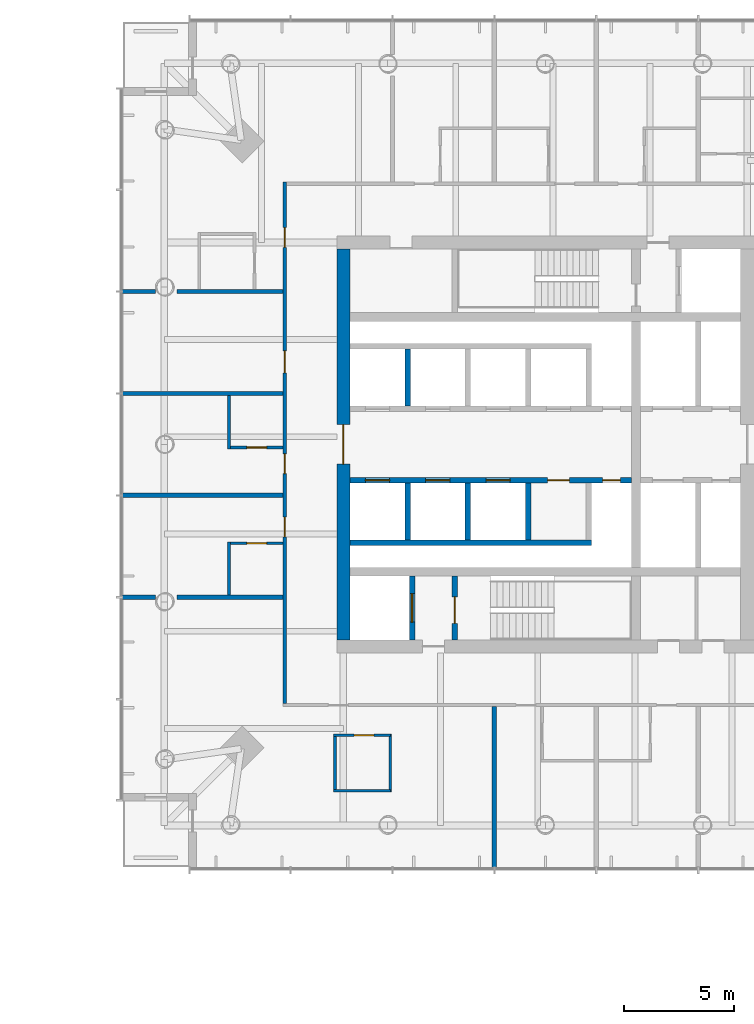
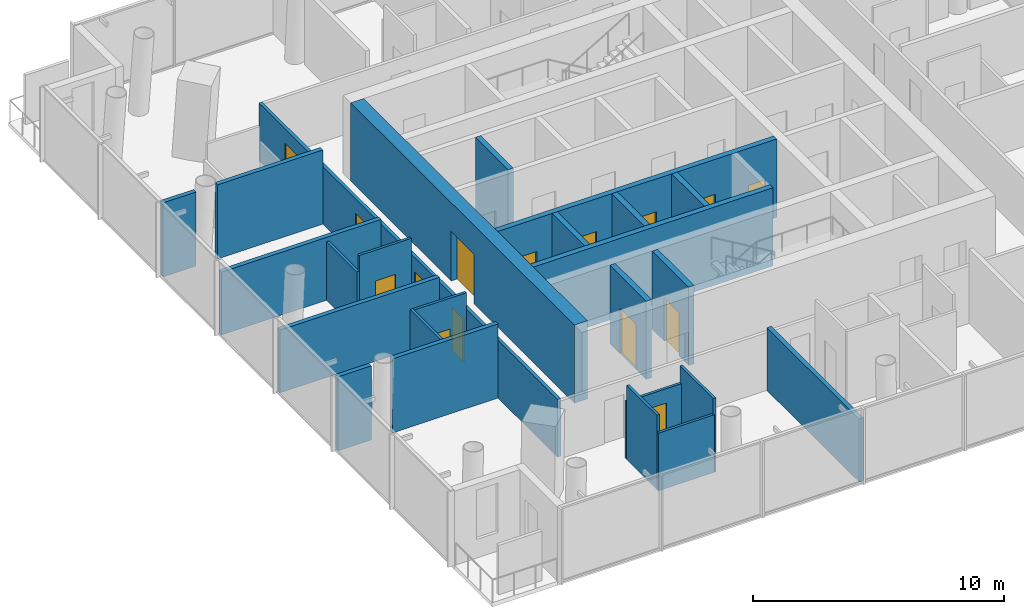
# One storey, part 14 of 21: 25 walls, 15 doors, 15 openings.
"""IFC4 building model written with IfcOpenShell, lengths in metres."""

import ifcopenshell
import ifcopenshell.guid

model = None  # the IFC model being written
_history = None  # IfcOwnerHistory: only IFC2X3 demands one
_inside = {}  # id of a spatial element -> (the spatial element, [elements in it])
_under = {}  # id of a project, library or spatial element -> (it, [spatial elements below it])
_declared = {}  # id of a project -> (the project, [libraries it declares])
_typed = {}  # id of a type object -> (the type object, [elements of that type])
_made_of = {}  # id of a material, layer set ... -> (it, [elements and type objects made of it])


def new_model(schema):
    """Start an empty IFC model of exactly this schema.

    Asked for "IFC4X3", IfcOpenShell would pick the latest addendum, in which some entities
    have other attributes; the version numbers below select the first issue.
    IFC2X3 requires an IfcOwnerHistory on every rooted entity: one is made here for all.
    """
    global model, _history
    if schema == "IFC4X3":
        model = ifcopenshell.file(schema_version=(4, 3, 0, 0))
    else:
        model = ifcopenshell.file(schema=schema)
    _inside.clear()
    _under.clear()
    _declared.clear()
    _typed.clear()
    _made_of.clear()
    _history = None
    if model.schema == "IFC2X3":
        org = make("IfcOrganization", Name="unknown")
        user = make(
            "IfcPersonAndOrganization",
            ThePerson=make("IfcPerson", FamilyName="unknown"),
            TheOrganization=org,
        )
        app = make(
            "IfcApplication",
            ApplicationDeveloper=org,
            Version="unknown",
            ApplicationFullName="unknown",
            ApplicationIdentifier="unknown",
        )
        _history = make(
            "IfcOwnerHistory",
            OwningUser=user,
            OwningApplication=app,
            ChangeAction="ADDED",
            CreationDate=0,
        )
    return model


def make(cls, **values):
    """One entity of the class cls with the attributes given. An attribute that is None is left unset."""
    return model.create_entity(
        cls, **{name: value for name, value in values.items() if value is not None}
    )


def rooted(cls, **values):
    """An entity with a GlobalId (a new one), such as an element, a storey or a relation."""
    return make(cls, GlobalId=ifcopenshell.guid.new(), OwnerHistory=_history, **values)


def si_unit(unit_type, name, prefix=None):
    """IfcSIUnit, for example si_unit("LENGTHUNIT", "METRE", prefix="MILLI")."""
    return make("IfcSIUnit", UnitType=unit_type, Prefix=prefix, Name=name)


def assignment(units):
    """IfcUnitAssignment: the units of a project."""
    return None if units is None else make("IfcUnitAssignment", Units=units)


def point(xyz):
    """IfcCartesianPoint."""
    return None if xyz is None else make("IfcCartesianPoint", Coordinates=xyz)


def direction(xyz):
    """IfcDirection."""
    return None if xyz is None else make("IfcDirection", DirectionRatios=xyz)


def frame(location, z_axis=None, x_axis=None):
    """IfcAxis2Placement3D, a coordinate frame: its origin and axes. An axis left out is left unset."""
    return make(
        "IfcAxis2Placement3D",
        Location=point(location),
        Axis=direction(z_axis),
        RefDirection=direction(x_axis),
    )


def frame_2d(location, x_axis=None):
    """IfcAxis2Placement2D, a coordinate frame in the plane: its origin and x axis."""
    return make(
        "IfcAxis2Placement2D", Location=point(location), RefDirection=direction(x_axis)
    )


def origin():
    """The frame at (0, 0, 0) with its axes left unset."""
    return frame((0.0, 0.0, 0.0))


def place(relative_to, where):
    """IfcLocalPlacement: puts the frame where relative to a parent placement (None: the world)."""
    return make(
        "IfcLocalPlacement", PlacementRelTo=relative_to, RelativePlacement=where
    )


def context(
    kind, dimensions, precision=None, world=None, true_north=None, identifier=None
):
    """IfcGeometricRepresentationContext, for example the 3D "Model" context."""
    return make(
        "IfcGeometricRepresentationContext",
        ContextIdentifier=identifier,
        ContextType=kind,
        CoordinateSpaceDimension=dimensions,
        Precision=precision,
        WorldCoordinateSystem=world,
        TrueNorth=true_north,
    )


def subcontext(parent, identifier, kind, view, scale=None):
    """IfcGeometricRepresentationSubContext, for example "Body" below "Model"."""
    return make(
        "IfcGeometricRepresentationSubContext",
        ContextIdentifier=identifier,
        ContextType=kind,
        ParentContext=parent,
        TargetScale=scale,
        TargetView=view,
    )


def project(units=None, contexts=None):
    """IfcProject with its units and contexts."""
    return rooted(
        "IfcProject",
        Name="project",
        RepresentationContexts=contexts,
        UnitsInContext=assignment(units),
    )


def spatial(cls, under=None, at=None, **own):
    """A site, building, storey or space (cls), placed at a placement, below another one or the project."""
    s = rooted(cls, ObjectPlacement=at, **own)
    if under is not None:
        _under.setdefault(under.id(), (under, []))[1].append(s)
    return s


def profile(cls, at=None, kind="AREA", **sizes):
    """A parametric profile (cls). Its sizes go by their IFC names, for example OverallWidth=200.0."""
    return make(cls, ProfileType=kind, Position=at, **sizes)


def rectangle(**sizes):
    """IfcRectangleProfileDef."""
    return profile("IfcRectangleProfileDef", **sizes)


def extrude(swept, where, along, depth):
    """IfcExtrudedAreaSolid: the profile swept, set in the frame where, extruded along a direction by depth."""
    return make(
        "IfcExtrudedAreaSolid",
        SweptArea=swept,
        Position=where,
        ExtrudedDirection=direction(along),
        Depth=depth,
    )


def shape(context_of_items, identifier, shape_type, items):
    """IfcShapeRepresentation: the items that make up one representation, for example the "Body"."""
    return make(
        "IfcShapeRepresentation",
        ContextOfItems=context_of_items,
        RepresentationIdentifier=identifier,
        RepresentationType=shape_type,
        Items=items,
    )


def material(Name=None, Category=None):
    """IfcMaterial."""
    return make("IfcMaterial", Name=Name, Category=Category)


def layer(
    of_material, thickness, ventilated=None, Name=None, Category=None, Priority=None
):
    """IfcMaterialLayer: one layer of a wall or slab, of a material (None: an air gap)."""
    return make(
        "IfcMaterialLayer",
        Material=of_material,
        LayerThickness=thickness,
        IsVentilated=ventilated,
        Name=Name,
        Category=Category,
        Priority=Priority,
    )


def layer_set(layers, Name=None):
    """IfcMaterialLayerSet."""
    return make("IfcMaterialLayerSet", MaterialLayers=layers, LayerSetName=Name)


def made_of(thing, what):
    """Note that an element or type object is made of a material, layer set ...; save() writes the relation."""
    if what is not None:
        _made_of.setdefault(what.id(), (what, []))[1].append(thing)
    return thing


def type_object(cls, material=None, **own):
    """A type object (cls), such as IfcWallType, which elements share."""
    return made_of(rooted(cls, **own), material)


def element(
    cls,
    number,
    at=None,
    inside=None,
    cuts=None,
    type_object=None,
    material=None,
    context=None,
    identifier="Body",
    shape_type=None,
    held_by="IfcProductDefinitionShape",
    body=None,
    shapes=None,
    **own,
):
    """One element of the class cls, such as IfcWall. Its Tag is "e" and its number.

    at: its placement. inside: the storey or other place that contains it. cuts: it is an
    opening in that element (IfcRelVoidsElement). A single representation is given by context,
    identifier, shape_type and body (its items); several are given by shapes. held_by: the class
    of the entity that holds the representations. save() writes the other relations.
    """
    e = rooted(cls, Tag="e%d" % number, ObjectPlacement=at, **own)
    if body is not None:
        shapes = [shape(context, identifier, shape_type, body)]
    if shapes is not None:
        e.Representation = make(held_by, Representations=shapes)
    if inside is not None:
        _inside.setdefault(inside.id(), (inside, []))[1].append(e)
    if cuts is not None:
        rooted(
            "IfcRelVoidsElement", RelatingBuildingElement=cuts, RelatedOpeningElement=e
        )
    if type_object is not None:
        _typed.setdefault(type_object.id(), (type_object, []))[1].append(e)
    return made_of(e, material)


def fill(opening, filler):
    """IfcRelFillsElement: the door or window that sits in an opening."""
    return rooted(
        "IfcRelFillsElement",
        RelatingOpeningElement=opening,
        RelatedBuildingElement=filler,
    )


def aggregate(whole, parts):
    """IfcRelAggregates: a whole, such as a stair, and the parts it consists of."""
    return rooted("IfcRelAggregates", RelatingObject=whole, RelatedObjects=parts)


def save(model, path):
    """Write the relations noted so far, then the file.

    IfcRelAggregates (storeys below a building ...), IfcRelContainedInSpatialStructure (elements
    in a storey), IfcRelDefinesByType, IfcRelAssociatesMaterial and IfcRelDeclares: one each for
    every whole, place, type object, material and project.
    """
    for whole, parts in _under.values():
        aggregate(whole, parts)
    for where, things in _inside.values():
        rooted(
            "IfcRelContainedInSpatialStructure",
            RelatedElements=things,
            RelatingStructure=where,
        )
    for kind, things in _typed.values():
        rooted("IfcRelDefinesByType", RelatedObjects=things, RelatingType=kind)
    for what, things in _made_of.values():
        rooted("IfcRelAssociatesMaterial", RelatedObjects=things, RelatingMaterial=what)
    for by, libraries in _declared.values():
        rooted("IfcRelDeclares", RelatingContext=by, RelatedDefinitions=libraries)
    model.write(path)


model = new_model("IFC4")

# Units and contexts
model_context = context("Model", 3, precision=1e-05, world=origin(), true_north=direction((0.0, 1.0)))
body_context = subcontext(model_context, "Body", "Model", "MODEL_VIEW")
ifc_project = project(units=[si_unit("LENGTHUNIT", "METRE"), si_unit("AREAUNIT", "SQUARE_METRE"), si_unit("VOLUMEUNIT", "CUBIC_METRE"), si_unit("PLANEANGLEUNIT", "RADIAN"), si_unit("MASSUNIT", "GRAM", prefix="KILO")], contexts=[model_context])

# Site, building, storey
site_placement = place(None, origin())
site = spatial("IfcSite", under=ifc_project, at=site_placement, CompositionType="ELEMENT")
building_placement = place(site_placement, origin())
building = spatial("IfcBuilding", under=site, at=building_placement, Name="Ostroluk Exchange", CompositionType="ELEMENT")
storey_placement = place(building_placement, frame((0.0, 0.0, 59.0)))
storey = spatial("IfcBuildingStorey", under=building, at=storey_placement, Name="L14", CompositionType="ELEMENT", Elevation=59.0)

# Wall, opening, door
ifc_material_1 = material(Name="Concrete C40/50", Category="concrete")
ifc_layer_1 = layer(ifc_material_1, 0.25)
ifc_layer_set_1 = layer_set([ifc_layer_1], Name="Core shaft wall 250")
wall_type_1 = type_object("IfcWallType", Name="Core shaft wall 250", PredefinedType="SHEAR", material=ifc_layer_set_1)
wall_1_placement = place(storey_placement, frame((110.925048828125, 37.10009765625, 0.0), z_axis=(0.0, 0.0, 1.0), x_axis=(0.0, 1.0, 0.0)))
wall_1 = element("IfcWall", 1, at=wall_1_placement, inside=storey, type_object=wall_type_1, Name="Firefighting lift shaft wall", PredefinedType="SHEAR", context=body_context, shape_type="SweptSolid", body=[
    extrude(rectangle(XDim=2.89990234375, YDim=0.25, at=frame_2d((1.449951171875, 0.0))), origin(), (0.0, 0.0, 1.0), 3.800048828125),
])
opening_1_placement = place(wall_1_placement, frame((0.800048828125, 0.0, 0.0)))
opening_1 = element("IfcOpeningElement", 2, at=opening_1_placement, cuts=wall_1, Name="Opening LD2", PredefinedType="OPENING", context=body_context, shape_type="SweptSolid", body=[
    extrude(rectangle(XDim=1.300048828125, YDim=2.199951171875, at=frame_2d((0.64990234375, 1.10009765625))), frame((0.0, 0.135009765625, 0.0), z_axis=(0.0, -1.0, 0.0), x_axis=(1.0, 0.0, 0.0)), (0.0, 0.0, 1.0), 0.27001953125),
])
ifc_material_2 = material(Name="Stainless steel", Category="steel")
door_type_1 = type_object("IfcDoorType", Name="Lift landing door E 60 1300 x 2200", OperationType="DOUBLE_DOOR_SLIDING", PredefinedType="DOOR", material=ifc_material_2)
door_1_placement = place(opening_1_placement, origin())
door_1 = element("IfcDoor", 3, at=door_1_placement, inside=storey, type_object=door_type_1, Name="Lift HF1 landing door", OperationType="DOUBLE_DOOR_SLIDING", OverallHeight=2.199951171875, OverallWidth=1.300048828125, PredefinedType="DOOR", context=body_context, shape_type="SweptSolid", body=[
    extrude(rectangle(XDim=1.300048828125, YDim=2.199951171875, at=frame_2d((0.64990234375, 1.10009765625))), frame((0.0, 0.02490234375, 0.0), z_axis=(0.0, -1.0, 0.0), x_axis=(1.0, 0.0, 0.0)), (0.0, 0.0, 1.0), 0.050048828125),
])
fill(opening_1, door_1)

wall_2_placement = place(storey_placement, frame((112.875, 37.10009765625, 0.0), z_axis=(0.0, 0.0, 1.0), x_axis=(0.0, 1.0, 0.0)))
wall_2 = element("IfcWall", 4, at=wall_2_placement, inside=storey, type_object=wall_type_1, Name="Stair shaft wall", PredefinedType="SHEAR", context=body_context, shape_type="SweptSolid", body=[
    extrude(rectangle(XDim=2.89990234375, YDim=0.25, at=frame_2d((1.449951171875, 0.0))), origin(), (0.0, 0.0, 1.0), 3.800048828125),
])
opening_2_placement = place(wall_2_placement, frame((0.75, 0.0, 0.0)))
opening_2 = element("IfcOpeningElement", 5, at=opening_2_placement, cuts=wall_2, Name="Opening FD60S", PredefinedType="OPENING", context=body_context, shape_type="SweptSolid", body=[
    extrude(rectangle(XDim=1.199951171875, YDim=2.10009765625, at=frame_2d((0.60009765625, 1.050048828125))), frame((0.0, 0.135009765625, 0.0), z_axis=(0.0, -1.0, 0.0), x_axis=(1.0, 0.0, 0.0)), (0.0, 0.0, 1.0), 0.27001953125),
])
ifc_material_3 = material(Name="Steel", Category="steel")
door_type_2 = type_object("IfcDoorType", Name="Stair door EI 60 1200 x 2100", OperationType="SINGLE_SWING_LEFT", PredefinedType="DOOR", material=ifc_material_3)
door_2_placement = place(opening_2_placement, origin())
door_2 = element("IfcDoor", 6, at=door_2_placement, inside=storey, type_object=door_type_2, Name="Stair T2-S1 door", OperationType="SINGLE_SWING_LEFT", OverallHeight=2.10009765625, OverallWidth=1.199951171875, PredefinedType="DOOR", context=body_context, shape_type="SweptSolid", body=[
    extrude(rectangle(XDim=1.199951171875, YDim=2.10009765625, at=frame_2d((0.60009765625, 1.050048828125))), frame((0.0, 0.02490234375, 0.0), z_axis=(0.0, -1.0, 0.0), x_axis=(1.0, 0.0, 0.0)), (0.0, 0.0, 1.0), 0.050048828125),
])
fill(opening_2, door_2)

# Walls
for number, where, z_axis, x_axis, name in (
    (7, (110.72509765625, 47.75, 0.0), (0.0, 0.0, 1.0), (0.0, 1.0, 0.0), "Lift shaft wall"),
    (8, (110.72509765625, 44.25, 0.0), (0.0, 0.0, 1.0), (0.0, -1.0, 0.0), "Lift shaft wall"),
    (9, (113.47509765625, 44.25, 0.0), (0.0, 0.0, 1.0), (0.0, -1.0, 0.0), "Lift shaft wall"),
    (10, (116.22509765625, 44.25, 0.0), (0.0, 0.0, 1.0), (0.0, -1.0, 0.0), "Lift shaft wall"),
):
    element("IfcWall", number, at=place(storey_placement, frame(where, z_axis=z_axis, x_axis=x_axis)), inside=storey, type_object=wall_type_1, Name=name, PredefinedType="SHEAR", context=body_context, shape_type="SweptSolid", body=[
        extrude(rectangle(XDim=2.60009765625, YDim=0.25, at=frame_2d((1.300048828125, 0.0))), origin(), (0.0, 0.0, 1.0), 3.800048828125),
    ])
wall_3_placement = place(storey_placement, frame((108.10009765625, 41.52490234375, 0.0), z_axis=(0.0, 0.0, 1.0), x_axis=(1.0, 0.0, 0.0)))
element("IfcWall", 11, at=wall_3_placement, inside=storey, type_object=wall_type_1, Name="Lift shaft wall", PredefinedType="SHEAR", context=body_context, shape_type="SweptSolid", body=[
    extrude(rectangle(XDim=11.0, YDim=0.25, at=frame_2d((5.5, 0.0))), origin(), (0.0, 0.0, 1.0), 3.800048828125),
])

# Wall, openings, doors
wall_4_placement = place(storey_placement, frame((108.10009765625, 44.375, 0.0), z_axis=(0.0, 0.0, 1.0), x_axis=(1.0, 0.0, 0.0)))
wall_4 = element("IfcWall", 12, at=wall_4_placement, inside=storey, type_object=wall_type_1, Name="Lift shaft front wall", PredefinedType="SHEAR", context=body_context, shape_type="SweptSolid", body=[
    extrude(rectangle(XDim=12.829833984375, YDim=0.25, at=frame_2d((6.4150390625, 0.0))), origin(), (0.0, 0.0, 1.0), 3.800048828125),
])
opening_3_placement = place(wall_4_placement, frame((0.699951171875, 0.0, 0.0)))
opening_3 = element("IfcOpeningElement", 13, at=opening_3_placement, cuts=wall_4, Name="Opening LD", PredefinedType="OPENING", context=body_context, shape_type="SweptSolid", body=[
    extrude(rectangle(XDim=1.10009765625, YDim=2.199951171875, at=frame_2d((0.550048828125, 1.10009765625))), frame((0.0, 0.135009765625, 0.0), z_axis=(0.0, -1.0, 0.0), x_axis=(1.0, 0.0, 0.0)), (0.0, 0.0, 1.0), 0.27001953125),
])
opening_4_placement = place(wall_4_placement, frame((3.449951171875, 0.0, 0.0)))
opening_4 = element("IfcOpeningElement", 14, at=opening_4_placement, cuts=wall_4, Name="Opening LD", PredefinedType="OPENING", context=body_context, shape_type="SweptSolid", body=[
    extrude(rectangle(XDim=1.10009765625, YDim=2.199951171875, at=frame_2d((0.550048828125, 1.10009765625))), frame((0.0, 0.135009765625, 0.0), z_axis=(0.0, -1.0, 0.0), x_axis=(1.0, 0.0, 0.0)), (0.0, 0.0, 1.0), 0.27001953125),
])
opening_5_placement = place(wall_4_placement, frame((6.199951171875, 0.0, 0.0)))
opening_5 = element("IfcOpeningElement", 15, at=opening_5_placement, cuts=wall_4, Name="Opening LD", PredefinedType="OPENING", context=body_context, shape_type="SweptSolid", body=[
    extrude(rectangle(XDim=1.10009765625, YDim=2.199951171875, at=frame_2d((0.550048828125, 1.10009765625))), frame((0.0, 0.135009765625, 0.0), z_axis=(0.0, -1.0, 0.0), x_axis=(1.0, 0.0, 0.0)), (0.0, 0.0, 1.0), 0.27001953125),
])
opening_6_placement = place(wall_4_placement, frame((9.0, 0.0, 0.0)))
opening_6 = element("IfcOpeningElement", 16, at=opening_6_placement, cuts=wall_4, Name="Opening FD60", PredefinedType="OPENING", context=body_context, shape_type="SweptSolid", body=[
    extrude(rectangle(XDim=1.0, YDim=2.10009765625, at=frame_2d((0.5, 1.050048828125))), frame((0.0, 0.135009765625, 0.0), z_axis=(0.0, -1.0, 0.0), x_axis=(1.0, 0.0, 0.0)), (0.0, 0.0, 1.0), 0.27001953125),
])
opening_7_placement = place(wall_4_placement, frame((11.514892578125, 0.0, 0.0)))
opening_7 = element("IfcOpeningElement", 17, at=opening_7_placement, cuts=wall_4, Name="Opening RD60", PredefinedType="OPENING", context=body_context, shape_type="SweptSolid", body=[
    extrude(rectangle(XDim=0.800048828125, YDim=2.0, at=frame_2d((0.39990234375, 1.0))), frame((0.0, 0.135009765625, 0.0), z_axis=(0.0, -1.0, 0.0), x_axis=(1.0, 0.0, 0.0)), (0.0, 0.0, 1.0), 0.27001953125),
])
ifc_material_4 = material(Name="Steel", Category="steel")
door_type_3 = type_object("IfcDoorType", Name="Fire door EI 60 1000 x 2100", OperationType="SINGLE_SWING_LEFT", PredefinedType="DOOR", material=ifc_material_4)
door_3_placement = place(opening_6_placement, origin())
door_3 = element("IfcDoor", 18, at=door_3_placement, inside=storey, type_object=door_type_3, Name="Core room door", OperationType="SINGLE_SWING_RIGHT", OverallHeight=2.10009765625, OverallWidth=1.0, PredefinedType="DOOR", context=body_context, shape_type="SweptSolid", body=[
    extrude(rectangle(XDim=1.0, YDim=2.10009765625, at=frame_2d((0.5, 1.050048828125))), frame((0.0, 0.02490234375, 0.0), z_axis=(0.0, -1.0, 0.0), x_axis=(1.0, 0.0, 0.0)), (0.0, 0.0, 1.0), 0.050048828125),
])
fill(opening_6, door_3)
ifc_material_5 = material(Name="Stainless steel", Category="steel")
door_type_4 = type_object("IfcDoorType", Name="Lift landing door E 60 1100 x 2200", OperationType="DOUBLE_DOOR_SLIDING", PredefinedType="DOOR", material=ifc_material_5)
door_4_placement = place(opening_3_placement, origin())
door_4 = element("IfcDoor", 19, at=door_4_placement, inside=storey, type_object=door_type_4, Name="Lift HL5 landing door", OperationType="DOUBLE_DOOR_SLIDING", OverallHeight=2.199951171875, OverallWidth=1.10009765625, PredefinedType="DOOR", context=body_context, shape_type="SweptSolid", body=[
    extrude(rectangle(XDim=1.10009765625, YDim=2.199951171875, at=frame_2d((0.550048828125, 1.10009765625))), frame((0.0, 0.02490234375, 0.0), z_axis=(0.0, -1.0, 0.0), x_axis=(1.0, 0.0, 0.0)), (0.0, 0.0, 1.0), 0.050048828125),
])
fill(opening_3, door_4)
door_5_placement = place(opening_4_placement, origin())
door_5 = element("IfcDoor", 20, at=door_5_placement, inside=storey, type_object=door_type_4, Name="Lift HL6 landing door", OperationType="DOUBLE_DOOR_SLIDING", OverallHeight=2.199951171875, OverallWidth=1.10009765625, PredefinedType="DOOR", context=body_context, shape_type="SweptSolid", body=[
    extrude(rectangle(XDim=1.10009765625, YDim=2.199951171875, at=frame_2d((0.550048828125, 1.10009765625))), frame((0.0, 0.02490234375, 0.0), z_axis=(0.0, -1.0, 0.0), x_axis=(1.0, 0.0, 0.0)), (0.0, 0.0, 1.0), 0.050048828125),
])
fill(opening_4, door_5)
door_6_placement = place(opening_5_placement, origin())
door_6 = element("IfcDoor", 21, at=door_6_placement, inside=storey, type_object=door_type_4, Name="Lift HL7 landing door", OperationType="DOUBLE_DOOR_SLIDING", OverallHeight=2.199951171875, OverallWidth=1.10009765625, PredefinedType="DOOR", context=body_context, shape_type="SweptSolid", body=[
    extrude(rectangle(XDim=1.10009765625, YDim=2.199951171875, at=frame_2d((0.550048828125, 1.10009765625))), frame((0.0, 0.02490234375, 0.0), z_axis=(0.0, -1.0, 0.0), x_axis=(1.0, 0.0, 0.0)), (0.0, 0.0, 1.0), 0.050048828125),
])
fill(opening_5, door_6)
ifc_material_6 = material(Name="Steel", Category="steel")
door_type_5 = type_object("IfcDoorType", Name="Riser access door EI 60 800 x 2000", OperationType="SINGLE_SWING_LEFT", PredefinedType="DOOR", material=ifc_material_6)
door_7_placement = place(opening_7_placement, origin())
door_7 = element("IfcDoor", 22, at=door_7_placement, inside=storey, type_object=door_type_5, Name="Riser access door", OperationType="SINGLE_SWING_RIGHT", OverallHeight=2.0, OverallWidth=0.800048828125, PredefinedType="DOOR", context=body_context, shape_type="SweptSolid", body=[
    extrude(rectangle(XDim=0.800048828125, YDim=2.0, at=frame_2d((0.39990234375, 1.0))), frame((0.0, 0.02490234375, 0.0), z_axis=(0.0, -1.0, 0.0), x_axis=(1.0, 0.0, 0.0)), (0.0, 0.0, 1.0), 0.050048828125),
])
fill(opening_7, door_7)

# Wall, opening, door
ifc_material_7 = material(Name="Concrete C50/60", Category="concrete")
ifc_layer_2 = layer(ifc_material_7, 0.60009765625)
ifc_layer_set_2 = layer_set([ifc_layer_2], Name="Core wall 600 C50/60")
wall_type_2 = type_object("IfcWallType", Name="Core wall 600 C50/60", PredefinedType="SHEAR", material=ifc_layer_set_2)
wall_5_placement = place(storey_placement, frame((107.800048828125, 37.10009765625, 0.0), z_axis=(0.0, 0.0, 1.0), x_axis=(0.0, 1.0, 0.0)))
wall_5 = element("IfcWall", 23, at=wall_5_placement, inside=storey, type_object=wall_type_2, Name="T2 core wall W", PredefinedType="SHEAR", context=body_context, shape_type="SweptSolid", body=[
    extrude(rectangle(XDim=17.7998046875, YDim=0.60009765625, at=frame_2d((8.89990234375, 0.0))), origin(), (0.0, 0.0, 1.0), 3.800048828125),
])
opening_8_placement = place(wall_5_placement, frame((8.0, 0.0, 0.0)))
opening_8 = element("IfcOpeningElement", 24, at=opening_8_placement, cuts=wall_5, Name="Opening FD30D", PredefinedType="OPENING", context=body_context, shape_type="SweptSolid", body=[
    extrude(rectangle(XDim=1.800048828125, YDim=2.39990234375, at=frame_2d((0.89990234375, 1.199951171875))), frame((0.0, 0.31005859375, 0.0), z_axis=(0.0, -1.0, 0.0), x_axis=(1.0, 0.0, 0.0)), (0.0, 0.0, 1.0), 0.6201171875),
])
ifc_material_8 = material(Name="Timber", Category="wood")
door_type_6 = type_object("IfcDoorType", Name="Lobby double door EI 30 1800 x 2400", OperationType="DOUBLE_DOOR_SINGLE_SWING", PredefinedType="DOOR", material=ifc_material_8)
door_8_placement = place(opening_8_placement, origin())
door_8 = element("IfcDoor", 25, at=door_8_placement, inside=storey, type_object=door_type_6, Name="Lift lobby doors", OperationType="DOUBLE_DOOR_SINGLE_SWING", OverallHeight=2.39990234375, OverallWidth=1.800048828125, PredefinedType="DOOR", context=body_context, shape_type="SweptSolid", body=[
    extrude(rectangle(XDim=1.800048828125, YDim=2.39990234375, at=frame_2d((0.89990234375, 1.199951171875))), frame((0.0, 0.02490234375, 0.0), z_axis=(0.0, -1.0, 0.0), x_axis=(1.0, 0.0, 0.0)), (0.0, 0.0, 1.0), 0.050048828125),
])
fill(opening_8, door_8)

# Wall
ifc_material_9 = material(Name="Gypsum plasterboard partition, moisture resistant", Category="gypsum")
ifc_layer_3 = layer(ifc_material_9, 0.1201171875)
ifc_layer_set_3 = layer_set([ifc_layer_3], Name="Plasterboard en-suite wall 120")
wall_type_3 = type_object("IfcWallType", Name="Plasterboard en-suite wall 120", PredefinedType="PARTITIONING", material=ifc_layer_set_3)
wall_6_placement = place(storey_placement, frame((102.590087890625, 48.221435546875, 0.0), z_axis=(0.0, 0.0, 1.0), x_axis=(0.0, -1.0, 0.0)))
element("IfcWall", 26, at=wall_6_placement, inside=storey, type_object=wall_type_3, Name="En-suite wall", PredefinedType="PARTITIONING", context=body_context, shape_type="SweptSolid", body=[
    extrude(rectangle(XDim=2.419921875, YDim=0.1201171875, at=frame_2d((1.2099609375, 0.0))), origin(), (0.0, 0.0, 1.0), 2.846923828125),
])

# Wall, opening, door
wall_7_placement = place(storey_placement, frame((105.050048828125, 45.861328125, 0.0), z_axis=(0.0, 0.0, 1.0), x_axis=(-1.0, 0.0, 0.0)))
wall_7 = element("IfcWall", 27, at=wall_7_placement, inside=storey, type_object=wall_type_3, Name="En-suite wall", PredefinedType="PARTITIONING", context=body_context, shape_type="SweptSolid", body=[
    extrude(rectangle(XDim=2.400146484375, YDim=0.1201171875, at=frame_2d((1.2001953125, 0.0))), origin(), (0.0, 0.0, 1.0), 3.60009765625),
])
opening_9_placement = place(wall_7_placement, frame((0.75, 0.0, 0.0)))
opening_9 = element("IfcOpeningElement", 28, at=opening_9_placement, cuts=wall_7, Name="Opening D-02", PredefinedType="OPENING", context=body_context, shape_type="SweptSolid", body=[
    extrude(rectangle(XDim=0.89990234375, YDim=2.10009765625, at=frame_2d((0.449951171875, 1.050048828125))), frame((0.0, 0.070068359375, 0.0), z_axis=(0.0, -1.0, 0.0), x_axis=(1.0, 0.0, 0.0)), (0.0, 0.0, 1.0), 0.14013671875),
])
ifc_material_10 = material(Name="Timber", Category="wood")
door_type_7 = type_object("IfcDoorType", Name="En-suite door 900 x 2100", OperationType="SINGLE_SWING_LEFT", PredefinedType="DOOR", material=ifc_material_10)
door_9_placement = place(opening_9_placement, origin())
door_9 = element("IfcDoor", 29, at=door_9_placement, inside=storey, type_object=door_type_7, Name="En-suite door 1409", OperationType="SINGLE_SWING_RIGHT", OverallHeight=2.10009765625, OverallWidth=0.89990234375, PredefinedType="DOOR", context=body_context, shape_type="SweptSolid", body=[
    extrude(rectangle(XDim=0.89990234375, YDim=2.10009765625, at=frame_2d((0.449951171875, 1.050048828125))), frame((0.0, 0.02490234375, 0.0), z_axis=(0.0, -1.0, 0.0), x_axis=(1.0, 0.0, 0.0)), (0.0, 0.0, 1.0), 0.050048828125),
])
fill(opening_9, door_9)

# Wall
wall_8_placement = place(storey_placement, frame((102.590087890625, 41.5556640625, 0.0), z_axis=(0.0, 0.0, 1.0), x_axis=(0.0, -1.0, 0.0)))
element("IfcWall", 30, at=wall_8_placement, inside=storey, type_object=wall_type_3, Name="En-suite wall", PredefinedType="PARTITIONING", context=body_context, shape_type="SweptSolid", body=[
    extrude(rectangle(XDim=2.419921875, YDim=0.1201171875, at=frame_2d((1.2099609375, 0.0))), origin(), (0.0, 0.0, 1.0), 3.60009765625),
])

# Wall, opening, door
wall_9_placement = place(storey_placement, frame((105.050048828125, 41.49560546875, 0.0), z_axis=(0.0, 0.0, 1.0), x_axis=(-1.0, 0.0, 0.0)))
wall_9 = element("IfcWall", 31, at=wall_9_placement, inside=storey, type_object=wall_type_3, Name="En-suite wall", PredefinedType="PARTITIONING", context=body_context, shape_type="SweptSolid", body=[
    extrude(rectangle(XDim=2.400146484375, YDim=0.1201171875, at=frame_2d((1.2001953125, 0.0))), origin(), (0.0, 0.0, 1.0), 3.60009765625),
])
opening_10_placement = place(wall_9_placement, frame((0.75, 0.0, 0.0)))
opening_10 = element("IfcOpeningElement", 32, at=opening_10_placement, cuts=wall_9, Name="Opening D-02", PredefinedType="OPENING", context=body_context, shape_type="SweptSolid", body=[
    extrude(rectangle(XDim=0.89990234375, YDim=2.10009765625, at=frame_2d((0.449951171875, 1.050048828125))), frame((0.0, 0.070068359375, 0.0), z_axis=(0.0, -1.0, 0.0), x_axis=(1.0, 0.0, 0.0)), (0.0, 0.0, 1.0), 0.14013671875),
])
door_10_placement = place(opening_10_placement, origin())
door_10 = element("IfcDoor", 33, at=door_10_placement, inside=storey, type_object=door_type_7, Name="En-suite door 1410", OperationType="SINGLE_SWING_RIGHT", OverallHeight=2.10009765625, OverallWidth=0.89990234375, PredefinedType="DOOR", context=body_context, shape_type="SweptSolid", body=[
    extrude(rectangle(XDim=0.89990234375, YDim=2.10009765625, at=frame_2d((0.449951171875, 1.050048828125))), frame((0.0, 0.02490234375, 0.0), z_axis=(0.0, -1.0, 0.0), x_axis=(1.0, 0.0, 0.0)), (0.0, 0.0, 1.0), 0.050048828125),
])
fill(opening_10, door_10)

wall_10_placement = place(storey_placement, frame((109.935791015625, 32.75, 0.0), z_axis=(0.0, 0.0, 1.0), x_axis=(-1.0, 0.0, 0.0)))
wall_10 = element("IfcWall", 34, at=wall_10_placement, inside=storey, type_object=wall_type_3, Name="En-suite wall", PredefinedType="PARTITIONING", context=body_context, shape_type="SweptSolid", body=[
    extrude(rectangle(XDim=2.580078125, YDim=0.1201171875, at=frame_2d((1.2900390625, 0.0))), origin(), (0.0, 0.0, 1.0), 2.800048828125),
])
opening_11_placement = place(wall_10_placement, frame((0.75, 0.0, 0.0)))
opening_11 = element("IfcOpeningElement", 35, at=opening_11_placement, cuts=wall_10, Name="Opening D-02", PredefinedType="OPENING", context=body_context, shape_type="SweptSolid", body=[
    extrude(rectangle(XDim=0.89990234375, YDim=2.10009765625, at=frame_2d((0.449951171875, 1.050048828125))), frame((0.0, 0.070068359375, 0.0), z_axis=(0.0, -1.0, 0.0), x_axis=(1.0, 0.0, 0.0)), (0.0, 0.0, 1.0), 0.14013671875),
])
door_11_placement = place(opening_11_placement, origin())
door_11 = element("IfcDoor", 36, at=door_11_placement, inside=storey, type_object=door_type_7, Name="En-suite door 1411", OperationType="SINGLE_SWING_LEFT", OverallHeight=2.10009765625, OverallWidth=0.89990234375, PredefinedType="DOOR", context=body_context, shape_type="SweptSolid", body=[
    extrude(rectangle(XDim=0.89990234375, YDim=2.10009765625, at=frame_2d((0.449951171875, 1.050048828125))), frame((0.0, 0.02490234375, 0.0), z_axis=(0.0, -1.0, 0.0), x_axis=(1.0, 0.0, 0.0)), (0.0, 0.0, 1.0), 0.050048828125),
])
fill(opening_11, door_11)

# Walls
wall_11_placement = place(storey_placement, frame((109.935791015625, 30.22998046875, 0.0), z_axis=(0.0, 0.0, 1.0), x_axis=(-1.0, 0.0, 0.0)))
element("IfcWall", 37, at=wall_11_placement, inside=storey, type_object=wall_type_3, Name="En-suite wall", PredefinedType="PARTITIONING", context=body_context, shape_type="SweptSolid", body=[
    extrude(rectangle(XDim=2.580078125, YDim=0.1201171875, at=frame_2d((1.2900390625, 0.0))), origin(), (0.0, 0.0, 1.0), 2.800048828125),
])
wall_12_placement = place(storey_placement, frame((107.415771484375, 32.68994140625, 0.0), z_axis=(0.0, 0.0, 1.0), x_axis=(0.0, -1.0, 0.0)))
element("IfcWall", 38, at=wall_12_placement, inside=storey, type_object=wall_type_3, Name="En-suite wall", PredefinedType="PARTITIONING", context=body_context, shape_type="SweptSolid", body=[
    extrude(rectangle(XDim=2.39990234375, YDim=0.1201171875, at=frame_2d((1.199951171875, 0.0))), origin(), (0.0, 0.0, 1.0), 3.60009765625),
])
wall_13_placement = place(storey_placement, frame((109.935791015625, 32.81005859375, 0.0), z_axis=(0.0, 0.0, 1.0), x_axis=(0.0, -1.0, 0.0)))
element("IfcWall", 39, at=wall_13_placement, inside=storey, type_object=wall_type_3, Name="En-suite wall", PredefinedType="PARTITIONING", context=body_context, shape_type="SweptSolid", body=[
    extrude(rectangle(XDim=2.64013671875, YDim=0.1201171875, at=frame_2d((1.320068359375, 0.0))), origin(), (0.0, 0.0, 1.0), 3.60009765625),
])

# Wall, openings, doors
ifc_material_11 = material(Name="Gypsum plasterboard partition", Category="gypsum")
ifc_layer_4 = layer(ifc_material_11, 0.14990234375)
ifc_layer_set_4 = layer_set([ifc_layer_4], Name="Plasterboard partition 150")
wall_type_4 = type_object("IfcWallType", Name="Plasterboard partition 150", PredefinedType="PARTITIONING", material=ifc_layer_set_4)
wall_14_placement = place(storey_placement, frame((105.125, 57.949951171875, 0.0), z_axis=(0.0, 0.0, 1.0), x_axis=(0.0, -1.0, 0.0)))
wall_14 = element("IfcWall", 40, at=wall_14_placement, inside=storey, type_object=wall_type_4, Name="Corridor wall", PredefinedType="PARTITIONING", context=body_context, shape_type="SweptSolid", body=[
    extrude(rectangle(XDim=23.75, YDim=0.14990234375, at=frame_2d((11.875, 0.0))), origin(), (0.0, 0.0, 1.0), 2.800048828125),
])
opening_12_placement = place(wall_14_placement, frame((2.06787109375, 0.0, 0.0)))
opening_12 = element("IfcOpeningElement", 41, at=opening_12_placement, cuts=wall_14, Name="Opening D-01", PredefinedType="OPENING", context=body_context, shape_type="SweptSolid", body=[
    extrude(rectangle(XDim=0.89990234375, YDim=2.10009765625, at=frame_2d((0.449951171875, 1.050048828125))), frame((0.0, 0.0849609375, 0.0), z_axis=(0.0, -1.0, 0.0), x_axis=(1.0, 0.0, 0.0)), (0.0, 0.0, 1.0), 0.169921875),
])
opening_13_placement = place(wall_14_placement, frame((7.685791015625, 0.0, 0.0)))
opening_13 = element("IfcOpeningElement", 42, at=opening_13_placement, cuts=wall_14, Name="Opening D-03", PredefinedType="OPENING", context=body_context, shape_type="SweptSolid", body=[
    extrude(rectangle(XDim=1.0, YDim=2.10009765625, at=frame_2d((0.5, 1.050048828125))), frame((0.0, 0.0849609375, 0.0), z_axis=(0.0, -1.0, 0.0), x_axis=(1.0, 0.0, 0.0)), (0.0, 0.0, 1.0), 0.169921875),
])
opening_14_placement = place(wall_14_placement, frame((12.378662109375, 0.0, 0.0)))
opening_14 = element("IfcOpeningElement", 43, at=opening_14_placement, cuts=wall_14, Name="Opening D-01", PredefinedType="OPENING", context=body_context, shape_type="SweptSolid", body=[
    extrude(rectangle(XDim=0.89990234375, YDim=2.10009765625, at=frame_2d((0.449951171875, 1.050048828125))), frame((0.0, 0.0849609375, 0.0), z_axis=(0.0, -1.0, 0.0), x_axis=(1.0, 0.0, 0.0)), (0.0, 0.0, 1.0), 0.169921875),
])
opening_15_placement = place(wall_14_placement, frame((15.264404296875, 0.0, 0.0)))
opening_15 = element("IfcOpeningElement", 44, at=opening_15_placement, cuts=wall_14, Name="Opening D-01", PredefinedType="OPENING", context=body_context, shape_type="SweptSolid", body=[
    extrude(rectangle(XDim=0.89990234375, YDim=2.10009765625, at=frame_2d((0.449951171875, 1.050048828125))), frame((0.0, 0.0849609375, 0.0), z_axis=(0.0, -1.0, 0.0), x_axis=(1.0, 0.0, 0.0)), (0.0, 0.0, 1.0), 0.169921875),
])
ifc_material_12 = material(Name="Timber", Category="wood")
door_type_8 = type_object("IfcDoorType", Name="Hotel room door EI 30 Sa 900 x 2100", OperationType="SINGLE_SWING_LEFT", PredefinedType="DOOR", material=ifc_material_12)
door_12_placement = place(opening_12_placement, origin())
door_12 = element("IfcDoor", 45, at=door_12_placement, inside=storey, type_object=door_type_8, Name="Room door 1408", OperationType="SINGLE_SWING_LEFT", OverallHeight=2.10009765625, OverallWidth=0.89990234375, PredefinedType="DOOR", context=body_context, shape_type="SweptSolid", body=[
    extrude(rectangle(XDim=0.89990234375, YDim=2.10009765625, at=frame_2d((0.449951171875, 1.050048828125))), frame((0.0, 0.02490234375, 0.0), z_axis=(0.0, -1.0, 0.0), x_axis=(1.0, 0.0, 0.0)), (0.0, 0.0, 1.0), 0.050048828125),
])
fill(opening_12, door_12)
door_13_placement = place(opening_14_placement, origin())
door_13 = element("IfcDoor", 46, at=door_13_placement, inside=storey, type_object=door_type_8, Name="Room door 1409", OperationType="SINGLE_SWING_RIGHT", OverallHeight=2.10009765625, OverallWidth=0.89990234375, PredefinedType="DOOR", context=body_context, shape_type="SweptSolid", body=[
    extrude(rectangle(XDim=0.89990234375, YDim=2.10009765625, at=frame_2d((0.449951171875, 1.050048828125))), frame((0.0, 0.02490234375, 0.0), z_axis=(0.0, -1.0, 0.0), x_axis=(1.0, 0.0, 0.0)), (0.0, 0.0, 1.0), 0.050048828125),
])
fill(opening_14, door_13)
door_14_placement = place(opening_15_placement, origin())
door_14 = element("IfcDoor", 47, at=door_14_placement, inside=storey, type_object=door_type_8, Name="Room door 1410", OperationType="SINGLE_SWING_RIGHT", OverallHeight=2.10009765625, OverallWidth=0.89990234375, PredefinedType="DOOR", context=body_context, shape_type="SweptSolid", body=[
    extrude(rectangle(XDim=0.89990234375, YDim=2.10009765625, at=frame_2d((0.449951171875, 1.050048828125))), frame((0.0, 0.02490234375, 0.0), z_axis=(0.0, -1.0, 0.0), x_axis=(1.0, 0.0, 0.0)), (0.0, 0.0, 1.0), 0.050048828125),
])
fill(opening_15, door_14)
ifc_material_13 = material(Name="Timber", Category="wood")
door_type_9 = type_object("IfcDoorType", Name="Internal door 1000 x 2100", OperationType="SINGLE_SWING_LEFT", PredefinedType="DOOR", material=ifc_material_13)
door_15_placement = place(opening_13_placement, origin())
door_15 = element("IfcDoor", 48, at=door_15_placement, inside=storey, type_object=door_type_9, Name="Housekeeping store door", OperationType="SINGLE_SWING_LEFT", OverallHeight=2.10009765625, OverallWidth=1.0, PredefinedType="DOOR", context=body_context, shape_type="SweptSolid", body=[
    extrude(rectangle(XDim=1.0, YDim=2.10009765625, at=frame_2d((0.5, 1.050048828125))), frame((0.0, 0.02490234375, 0.0), z_axis=(0.0, -1.0, 0.0), x_axis=(1.0, 0.0, 0.0)), (0.0, 0.0, 1.0), 0.050048828125),
])
fill(opening_13, door_15)

# Walls
ifc_material_14 = material(Name="Gypsum plasterboard partition", Category="gypsum")
ifc_layer_5 = layer(ifc_material_14, 0.199951171875)
ifc_layer_set_5 = layer_set([ifc_layer_5], Name="Plasterboard party wall 200")
wall_type_5 = type_object("IfcWallType", Name="Plasterboard party wall 200", PredefinedType="PARTITIONING", material=ifc_layer_set_5)
wall_15_placement = place(storey_placement, frame((105.050048828125, 52.96435546875, 0.0), z_axis=(0.0, 0.0, 1.0), x_axis=(-1.0, 0.0, 0.0)))
element("IfcWall", 49, at=wall_15_placement, inside=storey, type_object=wall_type_5, Name="Party wall", PredefinedType="PARTITIONING", context=body_context, shape_type="SweptSolid", body=[
    extrude(rectangle(XDim=4.841796875, YDim=0.199951171875, at=frame_2d((2.4208984375, 0.0))), origin(), (0.0, 0.0, 1.0), 3.60009765625),
])
wall_16_placement = place(storey_placement, frame((99.2314453125, 52.96435546875, 0.0), z_axis=(0.0, 0.0, 1.0), x_axis=(-1.0, 0.0, 0.0)))
element("IfcWall", 50, at=wall_16_placement, inside=storey, type_object=wall_type_5, Name="Party wall", PredefinedType="PARTITIONING", context=body_context, shape_type="SweptSolid", body=[
    extrude(rectangle(XDim=1.521484375, YDim=0.199951171875, at=frame_2d((0.7607421875, 0.0))), origin(), (0.0, 0.0, 1.0), 3.60009765625),
])
for number, where, z_axis, x_axis, name in (
    (51, (105.050048828125, 48.321533203125, 0.0), (0.0, 0.0, 1.0), (-1.0, 0.0, 0.0), "Party wall"),
    (52, (105.050048828125, 43.678466796875, 0.0), (0.0, 0.0, 1.0), (-1.0, 0.0, 0.0), "Party wall"),
):
    element("IfcWall", number, at=place(storey_placement, frame(where, z_axis=z_axis, x_axis=x_axis)), inside=storey, type_object=wall_type_5, Name=name, PredefinedType="PARTITIONING", context=body_context, shape_type="SweptSolid", body=[
        extrude(rectangle(XDim=7.340087890625, YDim=0.199951171875, at=frame_2d((3.669921875, 0.0))), origin(), (0.0, 0.0, 1.0), 3.050048828125),
    ])
wall_17_placement = place(storey_placement, frame((105.050048828125, 39.03564453125, 0.0), z_axis=(0.0, 0.0, 1.0), x_axis=(-1.0, 0.0, 0.0)))
element("IfcWall", 53, at=wall_17_placement, inside=storey, type_object=wall_type_5, Name="Party wall", PredefinedType="PARTITIONING", context=body_context, shape_type="SweptSolid", body=[
    extrude(rectangle(XDim=4.841796875, YDim=0.199951171875, at=frame_2d((2.4208984375, 0.0))), origin(), (0.0, 0.0, 1.0), 3.60009765625),
])
wall_18_placement = place(storey_placement, frame((99.2314453125, 39.03564453125, 0.0), z_axis=(0.0, 0.0, 1.0), x_axis=(-1.0, 0.0, 0.0)))
element("IfcWall", 54, at=wall_18_placement, inside=storey, type_object=wall_type_5, Name="Party wall", PredefinedType="PARTITIONING", context=body_context, shape_type="SweptSolid", body=[
    extrude(rectangle(XDim=1.521484375, YDim=0.199951171875, at=frame_2d((0.7607421875, 0.0))), origin(), (0.0, 0.0, 1.0), 3.60009765625),
])
wall_19_placement = place(storey_placement, frame((114.678466796875, 34.050048828125, 0.0), z_axis=(0.0, 0.0, 1.0), x_axis=(0.0, -1.0, 0.0)))
element("IfcWall", 55, at=wall_19_placement, inside=storey, type_object=wall_type_5, Name="Party wall", PredefinedType="PARTITIONING", context=body_context, shape_type="SweptSolid", body=[
    extrude(rectangle(XDim=7.340087890625, YDim=0.199951171875, at=frame_2d((3.669921875, 0.0))), origin(), (0.0, 0.0, 1.0), 3.050048828125),
])

save(model, "model.ifc")
